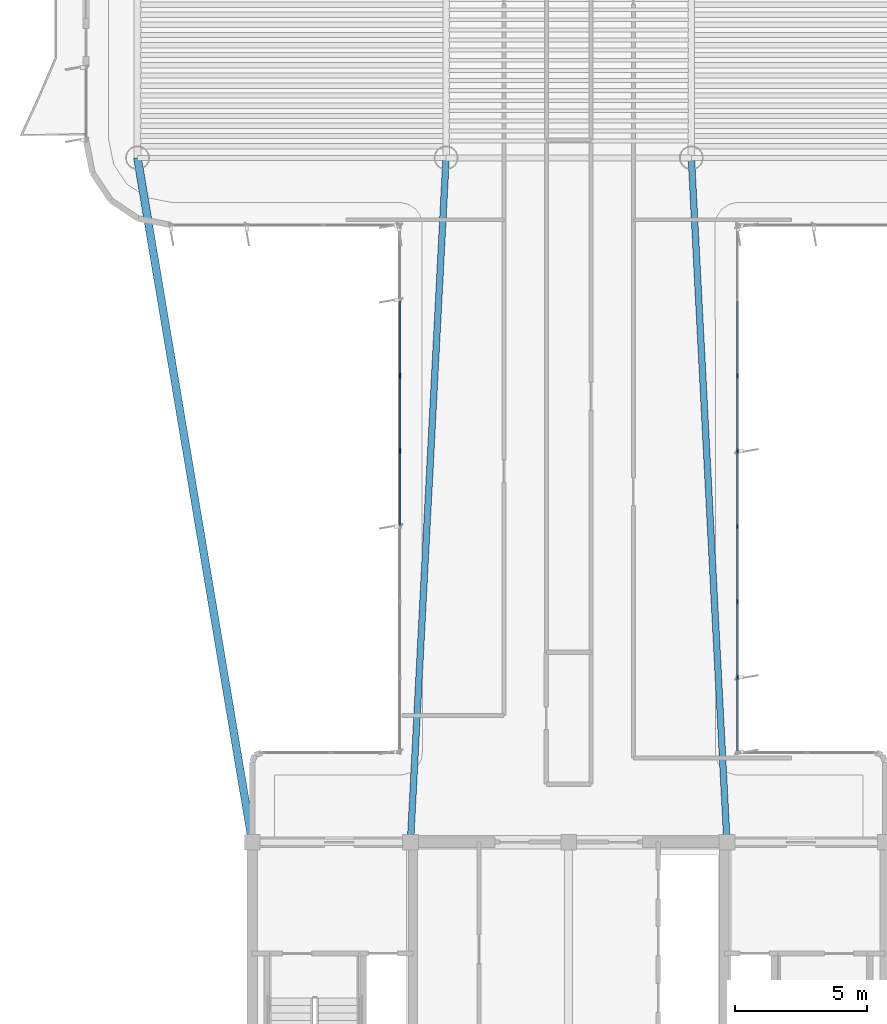
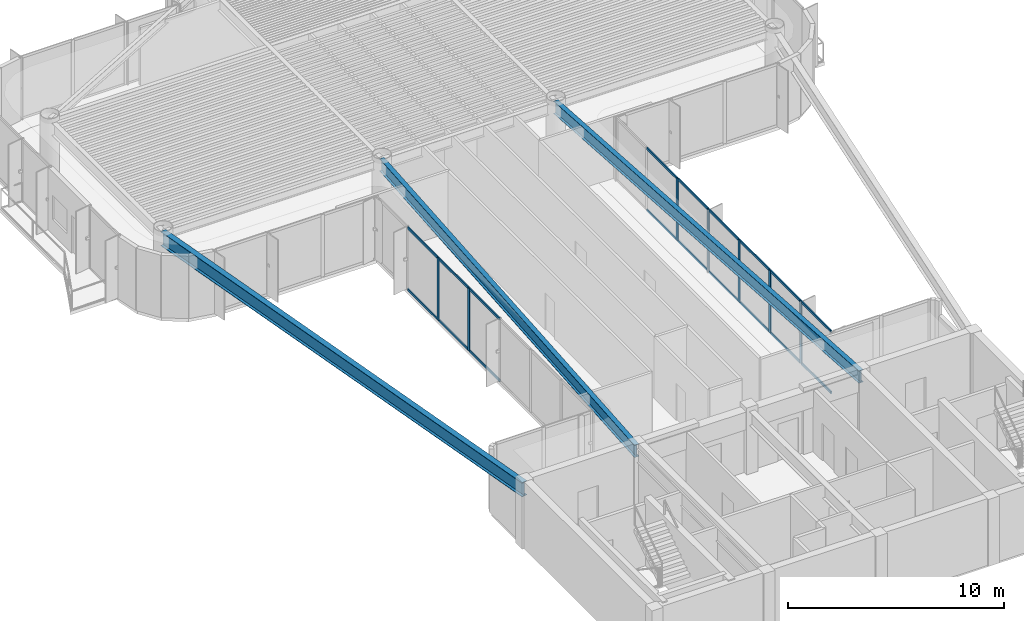
# One storey, part 3 of 14: 25 members, 3 beams, 2 elements without a shape of their own.
"""IFC4 building model written with IfcOpenShell, lengths in metres."""

from ifc_helpers import new_model, si_unit, direction, frame, origin, origin_2d, place, context, subcontext, project, spatial, rectangle, i_section, extrude, source, transform, mapped, material, layer, layer_set, material_profile, profile_set, type_object, element, aggregate, save


model = new_model("IFC4")

# Units and contexts
model_context = context("Model", 3, precision=1e-05, world=origin(), true_north=direction((0.0, 1.0)))
body_context = subcontext(model_context, "Body", "Model", "MODEL_VIEW")
ifc_project = project(units=[si_unit("LENGTHUNIT", "METRE"), si_unit("AREAUNIT", "SQUARE_METRE"), si_unit("VOLUMEUNIT", "CUBIC_METRE"), si_unit("PLANEANGLEUNIT", "RADIAN"), si_unit("MASSUNIT", "GRAM", prefix="KILO")], contexts=[model_context])

# Site, building, storey
site_placement = place(None, origin())
site = spatial("IfcSite", under=ifc_project, at=site_placement, CompositionType="ELEMENT")
building_placement = place(site_placement, origin())
building = spatial("IfcBuilding", under=site, at=building_placement, Name="Brelvock Crest Care Tower", CompositionType="ELEMENT")
storey_placement = place(building_placement, frame((0.0, 0.0, 253.260009765625)))
storey = spatial("IfcBuildingStorey", under=building, at=storey_placement, Name="L64", CompositionType="ELEMENT", Elevation=253.260009765625)

# Beams
ifc_material_1 = material(Name="Steel Grade 350", Category="steel")
ifc_material_profile_1 = material_profile(ifc_material_1, i_section(OverallWidth=0.25, OverallDepth=0.699951171875, WebThickness=0.011962890625, FlangeThickness=0.02001953125, at=origin_2d()), Name="700WB150")
ifc_profile_set_1 = profile_set([ifc_material_profile_1], Name="Steel Grade 350")
beam_type_1 = type_object("IfcBeamType", Name="BM-G4", PredefinedType="BEAM", material=ifc_profile_set_1)
shared_shape_1 = source(origin(), body_context, "Body", "SweptSolid", [
    extrude(i_section(OverallWidth=0.25, OverallDepth=0.699951171875, WebThickness=0.011962890625, FlangeThickness=0.02001953125, at=origin_2d()), origin(), (0.0, 0.0, 1.0), 25.985107421875),
])
for number, where, z_axis, x_axis, name in (
    (1, (30.0, 18.0, 3.179931640625), (0.051956711656, 0.998649337913, 0.0), (-0.998649337913, 0.051956711656, 0.0), "BM-THRW-L64"),
    (2, (42.0, 18.0, 3.179931640625), (-0.051956711656, 0.998649337913, 0.0), (-0.998649337913, -0.051956711656, 0.0), "BM-THRE-L64"),
):
    element("IfcBeam", number, at=place(storey_placement, frame(where, z_axis=z_axis, x_axis=x_axis)), inside=storey, type_object=beam_type_1, Name=name, PredefinedType="BEAM", context=body_context, shape_type="MappedRepresentation", body=[
        mapped(shared_shape_1, transform((0.0, 0.0, 0.0), x_axis=(1.0, 0.0, 0.0), y_axis=(0.0, 1.0, 0.0), z_axis=(0.0, 0.0, 1.0), scale=1.0)),
    ])
ifc_material_profile_2 = material_profile(ifc_material_1, i_section(OverallWidth=0.300048828125, OverallDepth=0.800048828125, WebThickness=0.013916015625, FlangeThickness=0.02197265625, at=origin_2d()), Name="800WB192")
ifc_profile_set_2 = profile_set([ifc_material_profile_2], Name="Steel Grade 350")
beam_type_2 = type_object("IfcBeamType", Name="BM-G5", PredefinedType="BEAM", material=ifc_profile_set_2)
shared_shape_2 = source(origin(), body_context, "Body", "SweptSolid", [
    extrude(i_section(OverallWidth=0.300048828125, OverallDepth=0.800048828125, WebThickness=0.013916015625, FlangeThickness=0.02197265625, at=origin_2d()), origin(), (0.0, 0.0, 1.0), 26.31201171875),
])
beam_placement = place(storey_placement, frame((24.0, 18.0, 3.1298828125), z_axis=(-0.165327282709, 0.986238758918, 0.0), x_axis=(-0.986238758918, -0.165327282709, 0.0)))
element("IfcBeam", 3, at=beam_placement, inside=storey, type_object=beam_type_2, Name="BM-THRO-W-L64", PredefinedType="BEAM", context=body_context, shape_type="MappedRepresentation", body=[
    mapped(shared_shape_2, transform((0.0, 0.0, 0.0), x_axis=(1.0, 0.0, 0.0), y_axis=(0.0, 1.0, 0.0), z_axis=(0.0, 0.0, 1.0), scale=1.0)),
])

# Curtain wall, members
ifc_material_2 = material(Name="Dark Glass Double Glazed Low-E", Category="glass")
ifc_layer = layer(ifc_material_2, 0.239990234375, Name="CWS-5")
ifc_layer_set = layer_set([ifc_layer], Name="Dark Glass Double Glazed Low-E")
curtain_wall_type = type_object("IfcCurtainWallType", Name="CWS-5", PredefinedType="NOTDEFINED", material=ifc_layer_set)
curtain_wall_1_placement = place(storey_placement, origin())
curtain_wall_1 = element("IfcCurtainWall", 4, at=curtain_wall_1_placement, inside=storey, type_object=curtain_wall_type, Name="L64 Curtain Wall E11", PredefinedType="NOTDEFINED")
ifc_material_3 = material(Name="Aluminium 6063-T6", Category="aluminium")
ifc_material_profile_3 = material_profile(ifc_material_3, rectangle(XDim=0.06005859375, YDim=0.179931640625, at=origin_2d()), Name="ALU60x180")
ifc_profile_set_3 = profile_set([ifc_material_profile_3], Name="Aluminium 6063-T6")
member_type_1 = type_object("IfcMemberType", Name="CWM-2", PredefinedType="MULLION", material=ifc_profile_set_3)
shared_shape_3 = source(origin(), body_context, "Body", "SweptSolid", [
    extrude(rectangle(XDim=0.06005859375, YDim=0.179931640625, at=origin_2d()), origin(), (0.0, 0.0, 1.0), 3.530029296875),
])
member_1_placement = place(storey_placement, frame((29.60009765625, 32.82861328125, 0.0), z_axis=(0.0, 0.0, 1.0), x_axis=(-1.0, 0.0, 0.0)))
member_1 = element("IfcMember", 5, at=member_1_placement, type_object=member_type_1, Name="CW-5 mullion 5", PredefinedType="MULLION", context=body_context, shape_type="MappedRepresentation", body=[
    mapped(shared_shape_3, transform((0.0, 0.0, 0.0), x_axis=(1.0, 0.0, 0.0), y_axis=(0.0, 1.0, 0.0), z_axis=(0.0, 0.0, 1.0), scale=1.0)),
])
member_2_placement = place(storey_placement, frame((29.60009765625, 35.685791015625, 0.0), z_axis=(0.0, 0.0, 1.0), x_axis=(-1.0, 0.0, 0.0)))
member_2 = element("IfcMember", 6, at=member_2_placement, type_object=member_type_1, Name="CW-5 mullion 6", PredefinedType="MULLION", context=body_context, shape_type="MappedRepresentation", body=[
    mapped(shared_shape_3, transform((0.0, 0.0, 0.0), x_axis=(1.0, 0.0, 0.0), y_axis=(0.0, 1.0, 0.0), z_axis=(0.0, 0.0, 1.0), scale=1.0)),
])

curtain_wall_2_placement = place(storey_placement, origin())
curtain_wall_2 = element("IfcCurtainWall", 7, at=curtain_wall_2_placement, inside=storey, type_object=curtain_wall_type, Name="L64 Curtain Wall E45", PredefinedType="NOTDEFINED")
member_3_placement = place(storey_placement, frame((42.39990234375, 35.685791015625, 0.0), z_axis=(0.0, 0.0, 1.0), x_axis=(1.0, 0.0, 0.0)))
member_3 = element("IfcMember", 8, at=member_3_placement, type_object=member_type_1, Name="CW-5 mullion 3", PredefinedType="MULLION", context=body_context, shape_type="MappedRepresentation", body=[
    mapped(shared_shape_3, transform((0.0, 0.0, 0.0), x_axis=(1.0, 0.0, 0.0), y_axis=(0.0, 1.0, 0.0), z_axis=(0.0, 0.0, 1.0), scale=1.0)),
])
member_4_placement = place(storey_placement, frame((42.39990234375, 32.82861328125, 0.0), z_axis=(0.0, 0.0, 1.0), x_axis=(1.0, 0.0, 0.0)))
member_4 = element("IfcMember", 9, at=member_4_placement, type_object=member_type_1, Name="CW-5 mullion 4", PredefinedType="MULLION", context=body_context, shape_type="MappedRepresentation", body=[
    mapped(shared_shape_3, transform((0.0, 0.0, 0.0), x_axis=(1.0, 0.0, 0.0), y_axis=(0.0, 1.0, 0.0), z_axis=(0.0, 0.0, 1.0), scale=1.0)),
])
member_5_placement = place(storey_placement, frame((42.39990234375, 29.971435546875, 0.0), z_axis=(0.0, 0.0, 1.0), x_axis=(1.0, 0.0, 0.0)))
member_5 = element("IfcMember", 10, at=member_5_placement, type_object=member_type_1, Name="CW-5 mullion 5", PredefinedType="MULLION", context=body_context, shape_type="MappedRepresentation", body=[
    mapped(shared_shape_3, transform((0.0, 0.0, 0.0), x_axis=(1.0, 0.0, 0.0), y_axis=(0.0, 1.0, 0.0), z_axis=(0.0, 0.0, 1.0), scale=1.0)),
])
member_6_placement = place(storey_placement, frame((42.39990234375, 27.1142578125, 0.0), z_axis=(0.0, 0.0, 1.0), x_axis=(1.0, 0.0, 0.0)))
member_6 = element("IfcMember", 11, at=member_6_placement, type_object=member_type_1, Name="CW-5 mullion 6", PredefinedType="MULLION", context=body_context, shape_type="MappedRepresentation", body=[
    mapped(shared_shape_3, transform((0.0, 0.0, 0.0), x_axis=(1.0, 0.0, 0.0), y_axis=(0.0, 1.0, 0.0), z_axis=(0.0, 0.0, 1.0), scale=1.0)),
])
member_7_placement = place(storey_placement, frame((42.39990234375, 24.257080078125, 0.0), z_axis=(0.0, 0.0, 1.0), x_axis=(1.0, 0.0, 0.0)))
member_7 = element("IfcMember", 12, at=member_7_placement, type_object=member_type_1, Name="CW-5 mullion 7", PredefinedType="MULLION", context=body_context, shape_type="MappedRepresentation", body=[
    mapped(shared_shape_3, transform((0.0, 0.0, 0.0), x_axis=(1.0, 0.0, 0.0), y_axis=(0.0, 1.0, 0.0), z_axis=(0.0, 0.0, 1.0), scale=1.0)),
])
ifc_material_profile_4 = material_profile(ifc_material_3, rectangle(XDim=0.06005859375, YDim=0.139892578125, at=origin_2d()), Name="ALU60x140")
ifc_profile_set_4 = profile_set([ifc_material_profile_4], Name="Aluminium 6063-T6")
member_type_2 = type_object("IfcMemberType", Name="CWT-2", PredefinedType="USERDEFINED", material=ifc_profile_set_4)
shared_shape_4 = source(origin(), body_context, "Body", "SweptSolid", [
    extrude(rectangle(XDim=0.06005859375, YDim=0.139892578125, at=origin_2d()), origin(), (0.0, 0.0, 1.0), 2.76708984375),
])
member_8_placement = place(storey_placement, frame((42.39990234375, 24.22705078125, 0.030029296875), z_axis=(0.0, -1.0, 0.0), x_axis=(1.0, 0.0, 0.0)))
member_8 = element("IfcMember", 13, at=member_8_placement, type_object=member_type_2, Name="CW-5 transom 7.1", ObjectType="TRANSOM", PredefinedType="USERDEFINED", context=body_context, shape_type="MappedRepresentation", body=[
    mapped(shared_shape_4, transform((0.0, 0.0, 0.0), x_axis=(1.0, 0.0, 0.0), y_axis=(0.0, 1.0, 0.0), z_axis=(0.0, 0.0, 1.0), scale=1.0)),
])
member_9_placement = place(storey_placement, frame((42.39990234375, 24.22705078125, 3.5), z_axis=(0.0, -1.0, 0.0), x_axis=(1.0, 0.0, 0.0)))
member_9 = element("IfcMember", 14, at=member_9_placement, type_object=member_type_2, Name="CW-5 transom 7.2", ObjectType="TRANSOM", PredefinedType="USERDEFINED", context=body_context, shape_type="MappedRepresentation", body=[
    mapped(shared_shape_4, transform((0.0, 0.0, 0.0), x_axis=(1.0, 0.0, 0.0), y_axis=(0.0, 1.0, 0.0), z_axis=(0.0, 0.0, 1.0), scale=1.0)),
])

# Member
shared_shape_5 = source(origin(), body_context, "Body", "SweptSolid", [
    extrude(rectangle(XDim=0.06005859375, YDim=0.139892578125, at=origin_2d()), origin(), (0.0, 0.0, 1.0), 2.797119140625),
])
member_10_placement = place(storey_placement, frame((29.60009765625, 30.00146484375, 0.030029296875), z_axis=(0.0, 1.0, 0.0), x_axis=(-1.0, 0.0, 0.0)))
member_10 = element("IfcMember", 15, at=member_10_placement, type_object=member_type_2, Name="CW-5 transom 4.1", ObjectType="TRANSOM", PredefinedType="USERDEFINED", context=body_context, shape_type="MappedRepresentation", body=[
    mapped(shared_shape_5, transform((0.0, 0.0, 0.0), x_axis=(1.0, 0.0, 0.0), y_axis=(0.0, 1.0, 0.0), z_axis=(0.0, 0.0, 1.0), scale=1.0)),
])

member_11_placement = place(storey_placement, frame((29.60009765625, 30.00146484375, 3.5), z_axis=(0.0, 1.0, 0.0), x_axis=(-1.0, 0.0, 0.0)))
member_11 = element("IfcMember", 16, at=member_11_placement, type_object=member_type_2, Name="CW-5 transom 4.2", ObjectType="TRANSOM", PredefinedType="USERDEFINED", context=body_context, shape_type="MappedRepresentation", body=[
    mapped(shared_shape_5, transform((0.0, 0.0, 0.0), x_axis=(1.0, 0.0, 0.0), y_axis=(0.0, 1.0, 0.0), z_axis=(0.0, 0.0, 1.0), scale=1.0)),
])

member_12_placement = place(storey_placement, frame((29.60009765625, 32.858642578125, 0.030029296875), z_axis=(0.0, 1.0, 0.0), x_axis=(-1.0, 0.0, 0.0)))
member_12 = element("IfcMember", 17, at=member_12_placement, type_object=member_type_2, Name="CW-5 transom 5.1", ObjectType="TRANSOM", PredefinedType="USERDEFINED", context=body_context, shape_type="MappedRepresentation", body=[
    mapped(shared_shape_5, transform((0.0, 0.0, 0.0), x_axis=(1.0, 0.0, 0.0), y_axis=(0.0, 1.0, 0.0), z_axis=(0.0, 0.0, 1.0), scale=1.0)),
])

member_13_placement = place(storey_placement, frame((29.60009765625, 32.858642578125, 3.5), z_axis=(0.0, 1.0, 0.0), x_axis=(-1.0, 0.0, 0.0)))
member_13 = element("IfcMember", 18, at=member_13_placement, type_object=member_type_2, Name="CW-5 transom 5.2", ObjectType="TRANSOM", PredefinedType="USERDEFINED", context=body_context, shape_type="MappedRepresentation", body=[
    mapped(shared_shape_5, transform((0.0, 0.0, 0.0), x_axis=(1.0, 0.0, 0.0), y_axis=(0.0, 1.0, 0.0), z_axis=(0.0, 0.0, 1.0), scale=1.0)),
])

member_14_placement = place(storey_placement, frame((29.60009765625, 35.7158203125, 0.030029296875), z_axis=(0.0, 1.0, 0.0), x_axis=(-1.0, 0.0, 0.0)))
member_14 = element("IfcMember", 19, at=member_14_placement, type_object=member_type_2, Name="CW-5 transom 6.1", ObjectType="TRANSOM", PredefinedType="USERDEFINED", context=body_context, shape_type="MappedRepresentation", body=[
    mapped(shared_shape_5, transform((0.0, 0.0, 0.0), x_axis=(1.0, 0.0, 0.0), y_axis=(0.0, 1.0, 0.0), z_axis=(0.0, 0.0, 1.0), scale=1.0)),
])

member_15_placement = place(storey_placement, frame((29.60009765625, 35.7158203125, 3.5), z_axis=(0.0, 1.0, 0.0), x_axis=(-1.0, 0.0, 0.0)))
member_15 = element("IfcMember", 20, at=member_15_placement, type_object=member_type_2, Name="CW-5 transom 6.2", ObjectType="TRANSOM", PredefinedType="USERDEFINED", context=body_context, shape_type="MappedRepresentation", body=[
    mapped(shared_shape_5, transform((0.0, 0.0, 0.0), x_axis=(1.0, 0.0, 0.0), y_axis=(0.0, 1.0, 0.0), z_axis=(0.0, 0.0, 1.0), scale=1.0)),
])

aggregate(curtain_wall_1, [member_1, member_2, member_10, member_11, member_12, member_13, member_14, member_15])

member_16_placement = place(storey_placement, frame((42.39990234375, 38.512939453125, 0.030029296875), z_axis=(0.0, -1.0, 0.0), x_axis=(1.0, 0.0, 0.0)))
member_16 = element("IfcMember", 21, at=member_16_placement, type_object=member_type_2, Name="CW-5 transom 2.1", ObjectType="TRANSOM", PredefinedType="USERDEFINED", context=body_context, shape_type="MappedRepresentation", body=[
    mapped(shared_shape_5, transform((0.0, 0.0, 0.0), x_axis=(1.0, 0.0, 0.0), y_axis=(0.0, 1.0, 0.0), z_axis=(0.0, 0.0, 1.0), scale=1.0)),
])

member_17_placement = place(storey_placement, frame((42.39990234375, 38.512939453125, 3.5), z_axis=(0.0, -1.0, 0.0), x_axis=(1.0, 0.0, 0.0)))
member_17 = element("IfcMember", 22, at=member_17_placement, type_object=member_type_2, Name="CW-5 transom 2.2", ObjectType="TRANSOM", PredefinedType="USERDEFINED", context=body_context, shape_type="MappedRepresentation", body=[
    mapped(shared_shape_5, transform((0.0, 0.0, 0.0), x_axis=(1.0, 0.0, 0.0), y_axis=(0.0, 1.0, 0.0), z_axis=(0.0, 0.0, 1.0), scale=1.0)),
])

member_18_placement = place(storey_placement, frame((42.39990234375, 35.65576171875, 0.030029296875), z_axis=(0.0, -1.0, 0.0), x_axis=(1.0, 0.0, 0.0)))
member_18 = element("IfcMember", 23, at=member_18_placement, type_object=member_type_2, Name="CW-5 transom 3.1", ObjectType="TRANSOM", PredefinedType="USERDEFINED", context=body_context, shape_type="MappedRepresentation", body=[
    mapped(shared_shape_5, transform((0.0, 0.0, 0.0), x_axis=(1.0, 0.0, 0.0), y_axis=(0.0, 1.0, 0.0), z_axis=(0.0, 0.0, 1.0), scale=1.0)),
])

member_19_placement = place(storey_placement, frame((42.39990234375, 35.65576171875, 3.5), z_axis=(0.0, -1.0, 0.0), x_axis=(1.0, 0.0, 0.0)))
member_19 = element("IfcMember", 24, at=member_19_placement, type_object=member_type_2, Name="CW-5 transom 3.2", ObjectType="TRANSOM", PredefinedType="USERDEFINED", context=body_context, shape_type="MappedRepresentation", body=[
    mapped(shared_shape_5, transform((0.0, 0.0, 0.0), x_axis=(1.0, 0.0, 0.0), y_axis=(0.0, 1.0, 0.0), z_axis=(0.0, 0.0, 1.0), scale=1.0)),
])

member_20_placement = place(storey_placement, frame((42.39990234375, 32.798583984375, 0.030029296875), z_axis=(0.0, -1.0, 0.0), x_axis=(1.0, 0.0, 0.0)))
member_20 = element("IfcMember", 25, at=member_20_placement, type_object=member_type_2, Name="CW-5 transom 4.1", ObjectType="TRANSOM", PredefinedType="USERDEFINED", context=body_context, shape_type="MappedRepresentation", body=[
    mapped(shared_shape_5, transform((0.0, 0.0, 0.0), x_axis=(1.0, 0.0, 0.0), y_axis=(0.0, 1.0, 0.0), z_axis=(0.0, 0.0, 1.0), scale=1.0)),
])

member_21_placement = place(storey_placement, frame((42.39990234375, 32.798583984375, 3.5), z_axis=(0.0, -1.0, 0.0), x_axis=(1.0, 0.0, 0.0)))
member_21 = element("IfcMember", 26, at=member_21_placement, type_object=member_type_2, Name="CW-5 transom 4.2", ObjectType="TRANSOM", PredefinedType="USERDEFINED", context=body_context, shape_type="MappedRepresentation", body=[
    mapped(shared_shape_5, transform((0.0, 0.0, 0.0), x_axis=(1.0, 0.0, 0.0), y_axis=(0.0, 1.0, 0.0), z_axis=(0.0, 0.0, 1.0), scale=1.0)),
])

member_22_placement = place(storey_placement, frame((42.39990234375, 29.94140625, 0.030029296875), z_axis=(0.0, -1.0, 0.0), x_axis=(1.0, 0.0, 0.0)))
member_22 = element("IfcMember", 27, at=member_22_placement, type_object=member_type_2, Name="CW-5 transom 5.1", ObjectType="TRANSOM", PredefinedType="USERDEFINED", context=body_context, shape_type="MappedRepresentation", body=[
    mapped(shared_shape_5, transform((0.0, 0.0, 0.0), x_axis=(1.0, 0.0, 0.0), y_axis=(0.0, 1.0, 0.0), z_axis=(0.0, 0.0, 1.0), scale=1.0)),
])

member_23_placement = place(storey_placement, frame((42.39990234375, 29.94140625, 3.5), z_axis=(0.0, -1.0, 0.0), x_axis=(1.0, 0.0, 0.0)))
member_23 = element("IfcMember", 28, at=member_23_placement, type_object=member_type_2, Name="CW-5 transom 5.2", ObjectType="TRANSOM", PredefinedType="USERDEFINED", context=body_context, shape_type="MappedRepresentation", body=[
    mapped(shared_shape_5, transform((0.0, 0.0, 0.0), x_axis=(1.0, 0.0, 0.0), y_axis=(0.0, 1.0, 0.0), z_axis=(0.0, 0.0, 1.0), scale=1.0)),
])

member_24_placement = place(storey_placement, frame((42.39990234375, 27.084228515625, 0.030029296875), z_axis=(0.0, -1.0, 0.0), x_axis=(1.0, 0.0, 0.0)))
member_24 = element("IfcMember", 29, at=member_24_placement, type_object=member_type_2, Name="CW-5 transom 6.1", ObjectType="TRANSOM", PredefinedType="USERDEFINED", context=body_context, shape_type="MappedRepresentation", body=[
    mapped(shared_shape_5, transform((0.0, 0.0, 0.0), x_axis=(1.0, 0.0, 0.0), y_axis=(0.0, 1.0, 0.0), z_axis=(0.0, 0.0, 1.0), scale=1.0)),
])

member_25_placement = place(storey_placement, frame((42.39990234375, 27.084228515625, 3.5), z_axis=(0.0, -1.0, 0.0), x_axis=(1.0, 0.0, 0.0)))
member_25 = element("IfcMember", 30, at=member_25_placement, type_object=member_type_2, Name="CW-5 transom 6.2", ObjectType="TRANSOM", PredefinedType="USERDEFINED", context=body_context, shape_type="MappedRepresentation", body=[
    mapped(shared_shape_5, transform((0.0, 0.0, 0.0), x_axis=(1.0, 0.0, 0.0), y_axis=(0.0, 1.0, 0.0), z_axis=(0.0, 0.0, 1.0), scale=1.0)),
])

aggregate(curtain_wall_2, [member_3, member_4, member_5, member_6, member_7, member_16, member_17, member_18, member_19, member_20, member_21, member_22, member_23, member_24, member_25, member_8, member_9])

save(model, "model.ifc")
